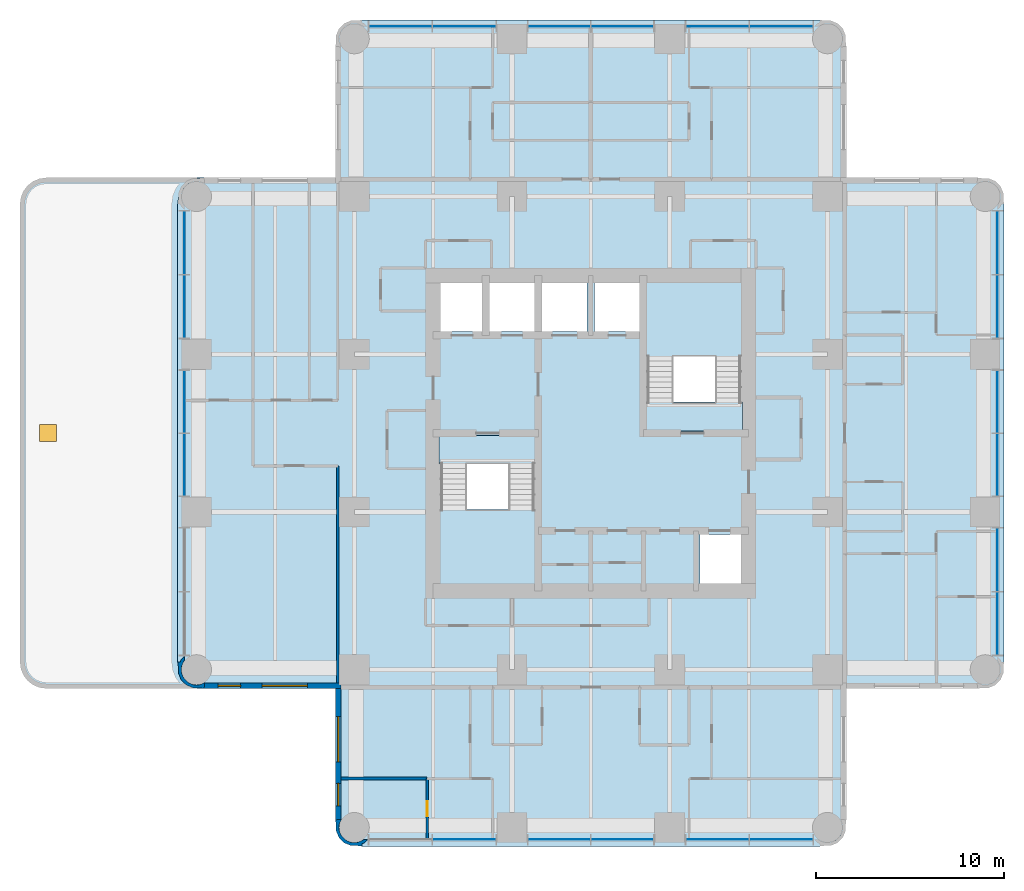
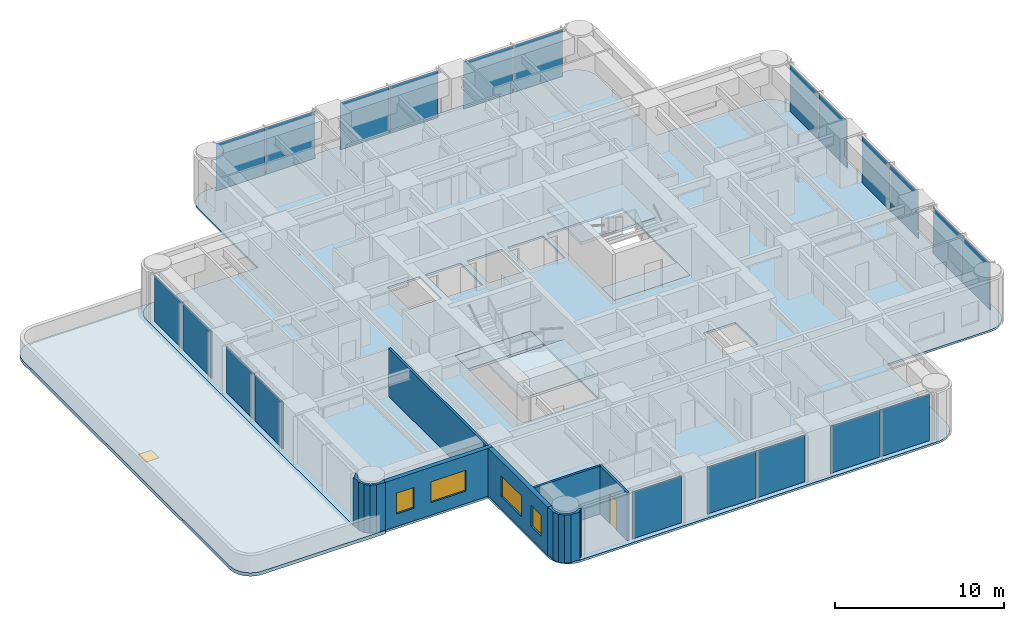
# One storey, part 3 of 9: 21 plates, 7 walls, 6 slabs, 5 windows, 1 door, 6 openings, 6 elements without a shape of their own.
"""IFC4 building model written with IfcOpenShell, lengths in metres."""

from ifc_helpers import new_model, si_unit, direction, frame, frame_2d, origin, origin_2d, place, context, subcontext, project, spatial, polyline, rectangle, outline, extrude, material, layer, layer_set, type_object, element, fill, aggregate, save


model = new_model("IFC4")

# Units and contexts
model_context = context("Model", 3, precision=1e-05, world=origin(), true_north=direction((0.0, 1.0)))
body_context = subcontext(model_context, "Body", "Model", "MODEL_VIEW")
ifc_project = project(units=[si_unit("LENGTHUNIT", "METRE"), si_unit("AREAUNIT", "SQUARE_METRE"), si_unit("VOLUMEUNIT", "CUBIC_METRE"), si_unit("PLANEANGLEUNIT", "RADIAN"), si_unit("MASSUNIT", "GRAM", prefix="KILO")], contexts=[model_context])

# Site, building, storey
site_placement = place(None, origin())
site = spatial("IfcSite", under=ifc_project, at=site_placement, CompositionType="ELEMENT")
building_placement = place(site_placement, origin())
building = spatial("IfcBuilding", under=site, at=building_placement, Name="Torre Alcanfor", CompositionType="ELEMENT")
storey_placement = place(building_placement, frame((0.0, 0.0, 254.10009765625)))
storey = spatial("IfcBuildingStorey", under=building, at=storey_placement, Name="L66", CompositionType="ELEMENT", Elevation=254.10009765625)

# Curtain wall, plates
ifc_material_1 = material(Name="Aluminium and glass", Category="aluminium")
curtain_wall_type = type_object("IfcCurtainWallType", Name="CW-A unitised apartment glazing with vertical FIN", PredefinedType="NOTDEFINED", material=ifc_material_1)
curtain_wall_1_placement = place(storey_placement, origin())
curtain_wall_1 = element("IfcCurtainWall", 1, at=curtain_wall_1_placement, inside=storey, type_object=curtain_wall_type, Name="Curtain wall CW-A L66 2", PredefinedType="NOTDEFINED")
ifc_material_2 = material(Name="Glass", Category="glass")
ifc_layer_1 = layer(ifc_material_2, 0.028076171875)
ifc_layer_set_1 = layer_set([ifc_layer_1], Name="CW-A clear double glazed unit")
plate_type = type_object("IfcPlateType", Name="CW-A clear double glazed unit", PredefinedType="CURTAIN_PANEL", material=ifc_layer_set_1)
plate_1_placement = place(storey_placement, frame((7.75, 39.541259765625, 0.0), z_axis=(0.0, 0.0, 1.0), x_axis=(0.0, -1.0, 0.0)))
plate_1 = element("IfcPlate", 2, at=plate_1_placement, type_object=plate_type, Name="CW-A panel 1.1.1", PredefinedType="CURTAIN_PANEL", context=body_context, shape_type="SweptSolid", body=[
    extrude(rectangle(XDim=3.337646484375, YDim=0.028076171875, at=origin_2d()), origin(), (0.0, 0.0, 1.0), 3.385009765625),
])
plate_2_placement = place(storey_placement, frame((7.75, 36.138671875, 0.0), z_axis=(0.0, 0.0, 1.0), x_axis=(0.0, -1.0, 0.0)))
plate_2 = element("IfcPlate", 3, at=plate_2_placement, type_object=plate_type, Name="CW-A panel 1.2.1", PredefinedType="CURTAIN_PANEL", context=body_context, shape_type="SweptSolid", body=[
    extrude(rectangle(XDim=3.337646484375, YDim=0.028076171875, at=origin_2d()), origin(), (0.0, 0.0, 1.0), 3.385009765625),
])
plate_3_placement = place(storey_placement, frame((7.75, 31.081298828125, 0.0), z_axis=(0.0, 0.0, 1.0), x_axis=(0.0, -1.0, 0.0)))
plate_3 = element("IfcPlate", 4, at=plate_3_placement, type_object=plate_type, Name="CW-A panel 2.1.1", PredefinedType="CURTAIN_PANEL", context=body_context, shape_type="SweptSolid", body=[
    extrude(rectangle(XDim=3.297607421875, YDim=0.028076171875, at=origin_2d()), origin(), (0.0, 0.0, 1.0), 3.385009765625),
])
plate_4_placement = place(storey_placement, frame((7.75, 27.71875, 0.0), z_axis=(0.0, 0.0, 1.0), x_axis=(0.0, -1.0, 0.0)))
plate_4 = element("IfcPlate", 5, at=plate_4_placement, type_object=plate_type, Name="CW-A panel 2.2.1", PredefinedType="CURTAIN_PANEL", context=body_context, shape_type="SweptSolid", body=[
    extrude(rectangle(XDim=3.297607421875, YDim=0.028076171875, at=origin_2d()), origin(), (0.0, 0.0, 1.0), 3.385009765625),
])
aggregate(curtain_wall_1, [plate_1, plate_2, plate_3, plate_4])

curtain_wall_2_placement = place(storey_placement, origin())
curtain_wall_2 = element("IfcCurtainWall", 6, at=curtain_wall_2_placement, inside=storey, type_object=curtain_wall_type, Name="Curtain wall CW-A L66 5", PredefinedType="NOTDEFINED")
plate_5_placement = place(storey_placement, frame((22.6611328125, 7.75, 0.0), z_axis=(0.0, 0.0, 1.0), x_axis=(1.0, 0.0, 0.0)))
plate_5 = element("IfcPlate", 7, at=plate_5_placement, type_object=plate_type, Name="CW-A panel 1.2.1", PredefinedType="CURTAIN_PANEL", context=body_context, shape_type="SweptSolid", body=[
    extrude(rectangle(XDim=3.337646484375, YDim=0.028076171875, at=origin_2d()), origin(), (0.0, 0.0, 1.0), 3.385009765625),
])
plate_6_placement = place(storey_placement, frame((27.71875, 7.75, 0.0), z_axis=(0.0, 0.0, 1.0), x_axis=(1.0, 0.0, 0.0)))
plate_6 = element("IfcPlate", 8, at=plate_6_placement, type_object=plate_type, Name="CW-A panel 2.1.1", PredefinedType="CURTAIN_PANEL", context=body_context, shape_type="SweptSolid", body=[
    extrude(rectangle(XDim=3.297607421875, YDim=0.028076171875, at=origin_2d()), origin(), (0.0, 0.0, 1.0), 3.385009765625),
])
plate_7_placement = place(storey_placement, frame((31.081298828125, 7.75, 0.0), z_axis=(0.0, 0.0, 1.0), x_axis=(1.0, 0.0, 0.0)))
plate_7 = element("IfcPlate", 9, at=plate_7_placement, type_object=plate_type, Name="CW-A panel 2.2.1", PredefinedType="CURTAIN_PANEL", context=body_context, shape_type="SweptSolid", body=[
    extrude(rectangle(XDim=3.297607421875, YDim=0.028076171875, at=origin_2d()), origin(), (0.0, 0.0, 1.0), 3.385009765625),
])
plate_8_placement = place(storey_placement, frame((36.138671875, 7.75, 0.0), z_axis=(0.0, 0.0, 1.0), x_axis=(1.0, 0.0, 0.0)))
plate_8 = element("IfcPlate", 10, at=plate_8_placement, type_object=plate_type, Name="CW-A panel 3.1.1", PredefinedType="CURTAIN_PANEL", context=body_context, shape_type="SweptSolid", body=[
    extrude(rectangle(XDim=3.337646484375, YDim=0.028076171875, at=origin_2d()), origin(), (0.0, 0.0, 1.0), 3.385009765625),
])
plate_9_placement = place(storey_placement, frame((39.541259765625, 7.75, 0.0), z_axis=(0.0, 0.0, 1.0), x_axis=(1.0, 0.0, 0.0)))
plate_9 = element("IfcPlate", 11, at=plate_9_placement, type_object=plate_type, Name="CW-A panel 3.2.1", PredefinedType="CURTAIN_PANEL", context=body_context, shape_type="SweptSolid", body=[
    extrude(rectangle(XDim=3.337646484375, YDim=0.028076171875, at=origin_2d()), origin(), (0.0, 0.0, 1.0), 3.385009765625),
])
aggregate(curtain_wall_2, [plate_5, plate_6, plate_7, plate_8, plate_9])

curtain_wall_3_placement = place(storey_placement, origin())
curtain_wall_3 = element("IfcCurtainWall", 12, at=curtain_wall_3_placement, inside=storey, type_object=curtain_wall_type, Name="Curtain wall CW-A L66 8", PredefinedType="NOTDEFINED")
plate_10_placement = place(storey_placement, frame((51.050048828125, 19.2587890625, 0.0), z_axis=(0.0, 0.0, 1.0), x_axis=(0.0, 1.0, 0.0)))
plate_10 = element("IfcPlate", 13, at=plate_10_placement, type_object=plate_type, Name="CW-A panel 1.1.1", PredefinedType="CURTAIN_PANEL", context=body_context, shape_type="SweptSolid", body=[
    extrude(rectangle(XDim=3.337646484375, YDim=0.028076171875, at=origin_2d()), origin(), (0.0, 0.0, 1.0), 3.385009765625),
])
plate_11_placement = place(storey_placement, frame((51.050048828125, 22.6611328125, 0.0), z_axis=(0.0, 0.0, 1.0), x_axis=(0.0, 1.0, 0.0)))
plate_11 = element("IfcPlate", 14, at=plate_11_placement, type_object=plate_type, Name="CW-A panel 1.2.1", PredefinedType="CURTAIN_PANEL", context=body_context, shape_type="SweptSolid", body=[
    extrude(rectangle(XDim=3.337646484375, YDim=0.028076171875, at=origin_2d()), origin(), (0.0, 0.0, 1.0), 3.385009765625),
])
plate_12_placement = place(storey_placement, frame((51.050048828125, 27.71875, 0.0), z_axis=(0.0, 0.0, 1.0), x_axis=(0.0, 1.0, 0.0)))
plate_12 = element("IfcPlate", 15, at=plate_12_placement, type_object=plate_type, Name="CW-A panel 2.1.1", PredefinedType="CURTAIN_PANEL", context=body_context, shape_type="SweptSolid", body=[
    extrude(rectangle(XDim=3.297607421875, YDim=0.028076171875, at=origin_2d()), origin(), (0.0, 0.0, 1.0), 3.385009765625),
])
plate_13_placement = place(storey_placement, frame((51.050048828125, 31.081298828125, 0.0), z_axis=(0.0, 0.0, 1.0), x_axis=(0.0, 1.0, 0.0)))
plate_13 = element("IfcPlate", 16, at=plate_13_placement, type_object=plate_type, Name="CW-A panel 2.2.1", PredefinedType="CURTAIN_PANEL", context=body_context, shape_type="SweptSolid", body=[
    extrude(rectangle(XDim=3.297607421875, YDim=0.028076171875, at=origin_2d()), origin(), (0.0, 0.0, 1.0), 3.385009765625),
])
plate_14_placement = place(storey_placement, frame((51.050048828125, 36.138671875, 0.0), z_axis=(0.0, 0.0, 1.0), x_axis=(0.0, 1.0, 0.0)))
plate_14 = element("IfcPlate", 17, at=plate_14_placement, type_object=plate_type, Name="CW-A panel 3.1.1", PredefinedType="CURTAIN_PANEL", context=body_context, shape_type="SweptSolid", body=[
    extrude(rectangle(XDim=3.337646484375, YDim=0.028076171875, at=origin_2d()), origin(), (0.0, 0.0, 1.0), 3.385009765625),
])
plate_15_placement = place(storey_placement, frame((51.050048828125, 39.541259765625, 0.0), z_axis=(0.0, 0.0, 1.0), x_axis=(0.0, 1.0, 0.0)))
plate_15 = element("IfcPlate", 18, at=plate_15_placement, type_object=plate_type, Name="CW-A panel 3.2.1", PredefinedType="CURTAIN_PANEL", context=body_context, shape_type="SweptSolid", body=[
    extrude(rectangle(XDim=3.337646484375, YDim=0.028076171875, at=origin_2d()), origin(), (0.0, 0.0, 1.0), 3.385009765625),
])
aggregate(curtain_wall_3, [plate_10, plate_11, plate_12, plate_13, plate_14, plate_15])

curtain_wall_4_placement = place(storey_placement, origin())
curtain_wall_4 = element("IfcCurtainWall", 19, at=curtain_wall_4_placement, inside=storey, type_object=curtain_wall_type, Name="Curtain wall CW-A L66 11", PredefinedType="NOTDEFINED")
plate_16_placement = place(storey_placement, frame((39.541259765625, 51.050048828125, 0.0), z_axis=(0.0, 0.0, 1.0), x_axis=(-1.0, 0.0, 0.0)))
plate_16 = element("IfcPlate", 20, at=plate_16_placement, type_object=plate_type, Name="CW-A panel 1.1.1", PredefinedType="CURTAIN_PANEL", context=body_context, shape_type="SweptSolid", body=[
    extrude(rectangle(XDim=3.337646484375, YDim=0.028076171875, at=origin_2d()), origin(), (0.0, 0.0, 1.0), 3.385009765625),
])
plate_17_placement = place(storey_placement, frame((36.138671875, 51.050048828125, 0.0), z_axis=(0.0, 0.0, 1.0), x_axis=(-1.0, 0.0, 0.0)))
plate_17 = element("IfcPlate", 21, at=plate_17_placement, type_object=plate_type, Name="CW-A panel 1.2.1", PredefinedType="CURTAIN_PANEL", context=body_context, shape_type="SweptSolid", body=[
    extrude(rectangle(XDim=3.337646484375, YDim=0.028076171875, at=origin_2d()), origin(), (0.0, 0.0, 1.0), 3.385009765625),
])
plate_18_placement = place(storey_placement, frame((31.081298828125, 51.050048828125, 0.0), z_axis=(0.0, 0.0, 1.0), x_axis=(-1.0, 0.0, 0.0)))
plate_18 = element("IfcPlate", 22, at=plate_18_placement, type_object=plate_type, Name="CW-A panel 2.1.1", PredefinedType="CURTAIN_PANEL", context=body_context, shape_type="SweptSolid", body=[
    extrude(rectangle(XDim=3.297607421875, YDim=0.028076171875, at=origin_2d()), origin(), (0.0, 0.0, 1.0), 3.385009765625),
])
plate_19_placement = place(storey_placement, frame((27.71875, 51.050048828125, 0.0), z_axis=(0.0, 0.0, 1.0), x_axis=(-1.0, 0.0, 0.0)))
plate_19 = element("IfcPlate", 23, at=plate_19_placement, type_object=plate_type, Name="CW-A panel 2.2.1", PredefinedType="CURTAIN_PANEL", context=body_context, shape_type="SweptSolid", body=[
    extrude(rectangle(XDim=3.297607421875, YDim=0.028076171875, at=origin_2d()), origin(), (0.0, 0.0, 1.0), 3.385009765625),
])
plate_20_placement = place(storey_placement, frame((22.6611328125, 51.050048828125, 0.0), z_axis=(0.0, 0.0, 1.0), x_axis=(-1.0, 0.0, 0.0)))
plate_20 = element("IfcPlate", 24, at=plate_20_placement, type_object=plate_type, Name="CW-A panel 3.1.1", PredefinedType="CURTAIN_PANEL", context=body_context, shape_type="SweptSolid", body=[
    extrude(rectangle(XDim=3.337646484375, YDim=0.028076171875, at=origin_2d()), origin(), (0.0, 0.0, 1.0), 3.385009765625),
])
plate_21_placement = place(storey_placement, frame((19.2587890625, 51.050048828125, 0.0), z_axis=(0.0, 0.0, 1.0), x_axis=(-1.0, 0.0, 0.0)))
plate_21 = element("IfcPlate", 25, at=plate_21_placement, type_object=plate_type, Name="CW-A panel 3.2.1", PredefinedType="CURTAIN_PANEL", context=body_context, shape_type="SweptSolid", body=[
    extrude(rectangle(XDim=3.337646484375, YDim=0.028076171875, at=origin_2d()), origin(), (0.0, 0.0, 1.0), 3.385009765625),
])
aggregate(curtain_wall_4, [plate_16, plate_17, plate_18, plate_19, plate_20, plate_21])

# Slab
ifc_material_3 = material(Name="Concrete f'c 35 MPa", Category="concrete")
ifc_layer_2 = layer(ifc_material_3, 0.14990234375)
ifc_layer_set_2 = layer_set([ifc_layer_2], Name="Composite floor 150 on metal deck")
slab_type_1 = type_object("IfcSlabType", Name="Composite floor 150 on metal deck", PredefinedType="FLOOR", material=ifc_layer_set_2)
slab_1_placement = place(storey_placement, frame((0.0, 0.0, -0.150146484375)))
element("IfcSlab", 26, at=slab_1_placement, inside=storey, type_object=slab_type_1, Name="Floor slab L66", PredefinedType="FLOOR", context=body_context, shape_type="SweptSolid", body=[
    extrude(outline(polyline([(15.800048828125, 43.0), (8.800048828125, 43.0), (8.437744140625, 42.952392578125), (8.10009765625, 42.8125), (7.81005859375, 42.58984375), (7.587646484375, 42.300048828125), (7.44775390625, 41.96240234375), (7.39990234375, 41.60009765625), (7.39990234375, 17.199951171875), (7.44775390625, 16.837646484375), (7.587646484375, 16.5), (7.81005859375, 16.210205078125), (8.10009765625, 15.987548828125), (8.437744140625, 15.84765625), (8.800048828125, 15.800048828125), (15.800048828125, 15.800048828125), (15.800048828125, 8.800048828125), (15.84765625, 8.437744140625), (15.987548828125, 8.10009765625), (16.210205078125, 7.81005859375), (16.5, 7.587646484375), (16.837646484375, 7.44775390625), (17.199951171875, 7.39990234375), (41.60009765625, 7.39990234375), (41.96240234375, 7.44775390625), (42.300048828125, 7.587646484375), (42.58984375, 7.81005859375), (42.8125, 8.10009765625), (42.952392578125, 8.437744140625), (43.0, 8.800048828125), (43.0, 15.800048828125), (50.0, 15.800048828125), (50.3623046875, 15.84765625), (50.699951171875, 15.987548828125), (50.989990234375, 16.210205078125), (51.21240234375, 16.5), (51.352294921875, 16.837646484375), (51.39990234375, 17.199951171875), (51.39990234375, 41.60009765625), (51.352294921875, 41.96240234375), (51.21240234375, 42.300048828125), (50.989990234375, 42.58984375), (50.699951171875, 42.8125), (50.3623046875, 42.952392578125), (50.0, 43.0), (43.0, 43.0), (43.0, 50.0), (42.952392578125, 50.3623046875), (42.8125, 50.699951171875), (42.58984375, 50.989990234375), (42.300048828125, 51.21240234375), (41.96240234375, 51.352294921875), (41.60009765625, 51.39990234375), (17.199951171875, 51.39990234375), (16.837646484375, 51.352294921875), (16.5, 51.21240234375), (16.210205078125, 50.989990234375), (15.987548828125, 50.699951171875), (15.84765625, 50.3623046875), (15.800048828125, 50.0), (15.800048828125, 43.0)]), holes=[polyline([(21.320068359375, 21.320068359375), (26.47998046875, 21.320068359375), (26.47998046875, 29.280029296875), (21.320068359375, 29.280029296875), (21.320068359375, 21.320068359375)]), polyline([(32.320068359375, 29.52001953125), (37.47998046875, 29.52001953125), (37.47998046875, 37.47998046875), (32.320068359375, 37.47998046875), (32.320068359375, 29.52001953125)]), polyline([(35.199951171875, 21.39990234375), (37.39990234375, 21.39990234375), (37.39990234375, 24.0), (35.199951171875, 24.0), (35.199951171875, 21.39990234375)]), polyline([(21.39990234375, 34.800048828125), (23.60009765625, 34.800048828125), (23.60009765625, 37.39990234375), (21.39990234375, 37.39990234375), (21.39990234375, 34.800048828125)]), polyline([(24.0, 34.800048828125), (26.39990234375, 34.800048828125), (26.39990234375, 37.39990234375), (24.0, 37.39990234375), (24.0, 34.800048828125)]), polyline([(26.800048828125, 34.800048828125), (29.199951171875, 34.800048828125), (29.199951171875, 37.39990234375), (26.800048828125, 37.39990234375), (26.800048828125, 34.800048828125)]), polyline([(29.60009765625, 34.800048828125), (32.0, 34.800048828125), (32.0, 37.39990234375), (29.60009765625, 37.39990234375), (29.60009765625, 34.800048828125)])]), origin(), (0.0, 0.0, 1.0), 0.150146484375),
])

# Slab, opening, window
ifc_material_4 = material(Name="Concrete f'c 35 MPa", Category="concrete")
ifc_layer_3 = layer(ifc_material_4, 0.25)
ifc_layer_set_3 = layer_set([ifc_layer_3], Name="Roof slab 250")
slab_type_2 = type_object("IfcSlabType", Name="Roof slab 250", PredefinedType="ROOF", material=ifc_layer_set_3)
slab_2_placement = place(storey_placement, frame((0.0, 0.0, -0.25)))
slab_2 = element("IfcSlab", 27, at=slab_2_placement, inside=storey, type_object=slab_type_2, Name="Maintenance roof L66 1", PredefinedType="ROOF", context=body_context, shape_type="SweptSolid", body=[
    extrude(outline(polyline([(8.800048828125, 15.800048828125), (8.437744140625, 15.84765625), (8.10009765625, 15.987548828125), (7.81005859375, 16.210205078125), (7.587646484375, 16.5), (7.44775390625, 16.837646484375), (7.39990234375, 17.199951171875), (7.39990234375, 41.60009765625), (7.44775390625, 41.96240234375), (7.587646484375, 42.300048828125), (7.81005859375, 42.58984375), (8.10009765625, 42.8125), (8.437744140625, 42.952392578125), (8.800048828125, 43.0), (0.39990234375, 43.0), (0.03759765625, 42.952392578125), (-0.300048828125, 42.8125), (-0.58984375, 42.58984375), (-0.8125, 42.300048828125), (-0.952392578125, 41.96240234375), (-1.0, 41.60009765625), (-1.0, 17.199951171875), (-0.952392578125, 16.837646484375), (-0.8125, 16.5), (-0.58984375, 16.210205078125), (-0.300048828125, 15.987548828125), (0.03759765625, 15.84765625), (0.39990234375, 15.800048828125), (8.800048828125, 15.800048828125)])), origin(), (0.0, 0.0, 1.0), 0.25),
])
opening_1_placement = place(slab_2_placement, frame((0.5, 29.39990234375, 0.0)))
opening_1 = element("IfcOpeningElement", 28, at=opening_1_placement, cuts=slab_2, Name="Opening RH1", PredefinedType="OPENING", context=body_context, shape_type="SweptSolid", body=[
    extrude(rectangle(XDim=0.89990234375, YDim=0.89990234375, at=origin_2d()), origin(), (0.0, 0.0, 1.0), 0.25),
])
ifc_material_5 = material(Name="Aluminium", Category="aluminium")
window_type_1 = type_object("IfcWindowType", Name="Roof access hatch 900x900", PartitioningType="SINGLE_PANEL", PredefinedType="SKYLIGHT", material=ifc_material_5)
window_1_placement = place(opening_1_placement, frame((0.0, 0.0, 0.199951171875)))
window_1 = element("IfcWindow", 29, at=window_1_placement, inside=storey, type_object=window_type_1, Name="Maintenance roof access hatch L66 1", OverallHeight=0.89990234375, OverallWidth=0.89990234375, PartitioningType="SINGLE_PANEL", PredefinedType="SKYLIGHT", context=body_context, shape_type="SweptSolid", body=[
    extrude(rectangle(XDim=0.89990234375, YDim=0.89990234375, at=origin_2d()), origin(), (0.0, 0.0, 1.0), 0.050048828125),
])
fill(opening_1, window_1)

# Stair, slabs
ifc_material_6 = material(Name="Concrete f'c 35 MPa", Category="concrete")
stair_type_1 = type_object("IfcStairType", Name="Exit stair S1 1400 wide", PredefinedType="HALF_TURN_STAIR", material=ifc_material_6)
stair_1_placement = place(storey_placement, origin())
stair_1 = element("IfcStair", 30, at=stair_1_placement, inside=storey, type_object=stair_type_1, Name="Stair S1 L66 to L67", PredefinedType="HALF_TURN_STAIR")
ifc_material_7 = material(Name="Concrete f'c 35 MPa", Category="concrete")
ifc_layer_4 = layer(ifc_material_7, 0.199951171875)
ifc_layer_set_4 = layer_set([ifc_layer_4], Name="Stair landing 200")
slab_type_3 = type_object("IfcSlabType", Name="Stair landing 200", PredefinedType="LANDING", material=ifc_layer_set_4)
slab_3_placement = place(storey_placement, frame((0.0, 0.0, -0.2001953125)))
slab_3 = element("IfcSlab", 31, at=slab_3_placement, type_object=slab_type_3, Name="S1 landing 1", PredefinedType="LANDING", context=body_context, shape_type="SweptSolid", body=[
    extrude(outline(polyline([(21.320068359375, 27.75), (26.47998046875, 27.75), (26.47998046875, 29.280029296875), (21.320068359375, 29.280029296875), (21.320068359375, 27.75)])), origin(), (0.0, 0.0, 1.0), 0.2001953125),
])
slab_4_placement = place(storey_placement, frame((0.0, 0.0, 1.599853515625)))
slab_4 = element("IfcSlab", 32, at=slab_4_placement, type_object=slab_type_3, Name="S1 landing 2", PredefinedType="LANDING", context=body_context, shape_type="SweptSolid", body=[
    extrude(outline(polyline([(21.320068359375, 21.320068359375), (26.47998046875, 21.320068359375), (26.47998046875, 25.330078125), (21.320068359375, 25.330078125), (21.320068359375, 21.320068359375)])), origin(), (0.0, 0.0, 1.0), 0.199951171875),
])
aggregate(stair_1, [slab_3, slab_4])

ifc_material_8 = material(Name="Concrete f'c 35 MPa", Category="concrete")
stair_type_2 = type_object("IfcStairType", Name="Exit stair S2 1400 wide", PredefinedType="HALF_TURN_STAIR", material=ifc_material_8)
stair_2_placement = place(storey_placement, origin())
stair_2 = element("IfcStair", 33, at=stair_2_placement, inside=storey, type_object=stair_type_2, Name="Stair S2 L66 to L67", PredefinedType="HALF_TURN_STAIR")
slab_5_placement = place(storey_placement, frame((0.0, 0.0, -0.2001953125)))
slab_5 = element("IfcSlab", 34, at=slab_5_placement, type_object=slab_type_3, Name="S2 landing 1", PredefinedType="LANDING", context=body_context, shape_type="SweptSolid", body=[
    extrude(outline(polyline([(32.320068359375, 29.52001953125), (37.47998046875, 29.52001953125), (37.47998046875, 31.050048828125), (32.320068359375, 31.050048828125), (32.320068359375, 29.52001953125)])), origin(), (0.0, 0.0, 1.0), 0.2001953125),
])
slab_6_placement = place(storey_placement, frame((0.0, 0.0, 1.599853515625)))
slab_6 = element("IfcSlab", 35, at=slab_6_placement, type_object=slab_type_3, Name="S2 landing 2", PredefinedType="LANDING", context=body_context, shape_type="SweptSolid", body=[
    extrude(outline(polyline([(32.320068359375, 33.469970703125), (37.47998046875, 33.469970703125), (37.47998046875, 37.47998046875), (32.320068359375, 37.47998046875), (32.320068359375, 33.469970703125)])), origin(), (0.0, 0.0, 1.0), 0.199951171875),
])
aggregate(stair_2, [slab_5, slab_6])

# Wall, openings, windows
ifc_material_9 = material(Name="Limestone cladding", Category="masonry")
ifc_layer_5 = layer(ifc_material_9, 0.0400390625, Name="Facing")
ifc_material_10 = material(Name="Ventilated air cavity")
ifc_layer_6 = layer(ifc_material_10, 0.02001953125, ventilated=True, Name="Ventilated joint")
ifc_material_11 = material(Name="Mineral wool insulation", Category="insulation")
ifc_layer_7 = layer(ifc_material_11, 0.10009765625, Name="Insulation")
ifc_material_12 = material(Name="Concrete f'c 35 MPa", Category="concrete")
ifc_layer_8 = layer(ifc_material_12, 0.139892578125, Name="Backing")
ifc_layer_set_5 = layer_set([ifc_layer_5, ifc_layer_6, ifc_layer_7, ifc_layer_8], Name="External wall stone-clad 300")
wall_type_1 = type_object("IfcWallType", Name="External wall stone-clad 300", PredefinedType="SOLIDWALL", material=ifc_layer_set_5)
wall_1_placement = place(storey_placement, frame((8.800048828125, 15.949951171875, 0.0), z_axis=(0.0, 0.0, 1.0), x_axis=(1.0, 0.0, 0.0)))
wall_1 = element("IfcWall", 36, at=wall_1_placement, inside=storey, type_object=wall_type_1, Name="External wall L66 3", PredefinedType="SOLIDWALL", context=body_context, shape_type="SweptSolid", body=[
    extrude(rectangle(XDim=7.300048828125, YDim=0.300048828125, at=frame_2d((3.64990234375, 0.0))), origin(), (0.0, 0.0, 1.0), 3.449951171875),
])
opening_2_placement = place(wall_1_placement, frame((3.10009765625, 0.0, 0.89990234375)))
opening_2 = element("IfcOpeningElement", 37, at=opening_2_placement, cuts=wall_1, Name="Opening W1", PredefinedType="OPENING", context=body_context, shape_type="SweptSolid", body=[
    extrude(rectangle(XDim=2.39990234375, YDim=1.5, at=frame_2d((1.199951171875, 0.75))), frame((0.0, 0.159912109375, 0.0), z_axis=(0.0, -1.0, 0.0), x_axis=(1.0, 0.0, 0.0)), (0.0, 0.0, 1.0), 0.320068359375),
])
opening_3_placement = place(wall_1_placement, frame((0.75, 0.0, 0.89990234375)))
opening_3 = element("IfcOpeningElement", 38, at=opening_3_placement, cuts=wall_1, Name="Opening W4", PredefinedType="OPENING", context=body_context, shape_type="SweptSolid", body=[
    extrude(rectangle(XDim=1.199951171875, YDim=1.5, at=frame_2d((0.60009765625, 0.75))), frame((0.0, 0.159912109375, 0.0), z_axis=(0.0, -1.0, 0.0), x_axis=(1.0, 0.0, 0.0)), (0.0, 0.0, 1.0), 0.320068359375),
])
ifc_material_13 = material(Name="Aluminium frame with clear double glazing", Category="aluminium")
window_type_2 = type_object("IfcWindowType", Name="Window bedroom 1200x1500", PartitioningType="SINGLE_PANEL", PredefinedType="WINDOW", material=ifc_material_13)
window_2_placement = place(opening_3_placement, origin())
window_2 = element("IfcWindow", 39, at=window_2_placement, inside=storey, type_object=window_type_2, Name="Window W4 L66-W1", OverallHeight=1.5, OverallWidth=1.199951171875, PartitioningType="SINGLE_PANEL", PredefinedType="WINDOW", context=body_context, shape_type="SweptSolid", body=[
    extrude(rectangle(XDim=1.199951171875, YDim=1.5, at=frame_2d((0.60009765625, 0.75))), frame((0.0, 0.030029296875, 0.0), z_axis=(0.0, -1.0, 0.0), x_axis=(1.0, 0.0, 0.0)), (0.0, 0.0, 1.0), 0.06005859375),
])
fill(opening_3, window_2)
ifc_material_14 = material(Name="Aluminium frame with clear double glazing", Category="aluminium")
window_type_3 = type_object("IfcWindowType", Name="Window bedroom 2400x1500", PartitioningType="SINGLE_PANEL", PredefinedType="WINDOW", material=ifc_material_14)
window_3_placement = place(opening_2_placement, origin())
window_3 = element("IfcWindow", 40, at=window_3_placement, inside=storey, type_object=window_type_3, Name="Window W1 L66-W1", OverallHeight=1.5, OverallWidth=2.39990234375, PartitioningType="SINGLE_PANEL", PredefinedType="WINDOW", context=body_context, shape_type="SweptSolid", body=[
    extrude(rectangle(XDim=2.39990234375, YDim=1.5, at=frame_2d((1.199951171875, 0.75))), frame((0.0, 0.030029296875, 0.0), z_axis=(0.0, -1.0, 0.0), x_axis=(1.0, 0.0, 0.0)), (0.0, 0.0, 1.0), 0.06005859375),
])
fill(opening_2, window_3)

wall_2_placement = place(storey_placement, frame((15.949951171875, 15.800048828125, 0.0), z_axis=(0.0, 0.0, 1.0), x_axis=(0.0, -1.0, 0.0)))
wall_2 = element("IfcWall", 41, at=wall_2_placement, inside=storey, type_object=wall_type_1, Name="External wall L66 4", PredefinedType="SOLIDWALL", context=body_context, shape_type="SweptSolid", body=[
    extrude(rectangle(XDim=7.0, YDim=0.300048828125, at=frame_2d((3.5, 0.0))), origin(), (0.0, 0.0, 1.0), 3.449951171875),
])
opening_4_placement = place(wall_2_placement, frame((1.5, 0.0, 0.89990234375)))
opening_4 = element("IfcOpeningElement", 42, at=opening_4_placement, cuts=wall_2, Name="Opening W1", PredefinedType="OPENING", context=body_context, shape_type="SweptSolid", body=[
    extrude(rectangle(XDim=2.39990234375, YDim=1.5, at=frame_2d((1.199951171875, 0.75))), frame((0.0, 0.159912109375, 0.0), z_axis=(0.0, -1.0, 0.0), x_axis=(1.0, 0.0, 0.0)), (0.0, 0.0, 1.0), 0.320068359375),
])
opening_5_placement = place(wall_2_placement, frame((5.050048828125, 0.0, 0.89990234375)))
opening_5 = element("IfcOpeningElement", 43, at=opening_5_placement, cuts=wall_2, Name="Opening W4", PredefinedType="OPENING", context=body_context, shape_type="SweptSolid", body=[
    extrude(rectangle(XDim=1.199951171875, YDim=1.5, at=frame_2d((0.60009765625, 0.75))), frame((0.0, 0.159912109375, 0.0), z_axis=(0.0, -1.0, 0.0), x_axis=(1.0, 0.0, 0.0)), (0.0, 0.0, 1.0), 0.320068359375),
])
window_4_placement = place(opening_5_placement, origin())
window_4 = element("IfcWindow", 44, at=window_4_placement, inside=storey, type_object=window_type_2, Name="Window W4 L66-S2", OverallHeight=1.5, OverallWidth=1.199951171875, PartitioningType="SINGLE_PANEL", PredefinedType="WINDOW", context=body_context, shape_type="SweptSolid", body=[
    extrude(rectangle(XDim=1.199951171875, YDim=1.5, at=frame_2d((0.60009765625, 0.75))), frame((0.0, 0.030029296875, 0.0), z_axis=(0.0, -1.0, 0.0), x_axis=(1.0, 0.0, 0.0)), (0.0, 0.0, 1.0), 0.06005859375),
])
fill(opening_5, window_4)
window_5_placement = place(opening_4_placement, origin())
window_5 = element("IfcWindow", 45, at=window_5_placement, inside=storey, type_object=window_type_3, Name="Window W1 L66-S2", OverallHeight=1.5, OverallWidth=2.39990234375, PartitioningType="SINGLE_PANEL", PredefinedType="WINDOW", context=body_context, shape_type="SweptSolid", body=[
    extrude(rectangle(XDim=2.39990234375, YDim=1.5, at=frame_2d((1.199951171875, 0.75))), frame((0.0, 0.030029296875, 0.0), z_axis=(0.0, -1.0, 0.0), x_axis=(1.0, 0.0, 0.0)), (0.0, 0.0, 1.0), 0.06005859375),
])
fill(opening_4, window_5)

# Walls
ifc_material_15 = material(Name="Concrete block masonry, hollow blocks NMX-C-404 9 MPa", Category="masonry")
ifc_layer_9 = layer(ifc_material_15, 0.14990234375)
ifc_layer_set_6 = layer_set([ifc_layer_9], Name="Residents' room partition 150")
wall_type_2 = type_object("IfcWallType", Name="Residents' room partition 150", PredefinedType="PARTITIONING", material=ifc_layer_set_6)
wall_3_placement = place(storey_placement, frame((15.925048828125, 16.10009765625, 0.0), z_axis=(0.0, 0.0, 1.0), x_axis=(0.0, 1.0, 0.0)))
element("IfcWall", 46, at=wall_3_placement, inside=storey, type_object=wall_type_2, Name="Partition L66-CORR / L66-W-LOUNGE", PredefinedType="PARTITIONING", context=body_context, shape_type="SweptSolid", body=[
    extrude(rectangle(XDim=11.556884765625, YDim=0.14990234375, at=frame_2d((5.7783203125, 0.0))), origin(), (0.0, 0.0, 1.0), 3.449951171875),
])
ifc_layer_10 = layer(ifc_material_9, 0.0400390625, Name="Facing")
ifc_layer_11 = layer(ifc_material_10, 0.02001953125, ventilated=True, Name="Ventilated joint")
ifc_layer_12 = layer(ifc_material_11, 0.10009765625, Name="Insulation")
ifc_layer_13 = layer(ifc_material_12, 0.139892578125, Name="Backing")
ifc_layer_set_7 = layer_set([ifc_layer_10, ifc_layer_11, ifc_layer_12, ifc_layer_13], Name="Rounded corner pier stone-clad 300")
wall_type_3 = type_object("IfcWallType", Name="Rounded corner pier stone-clad 300", PredefinedType="SOLIDWALL", material=ifc_layer_set_7)
wall_4_placement = place(storey_placement, frame((7.804682488, 17.448071802, 0.0), z_axis=(0.0, 0.0, 1.0), x_axis=(-0.93923434088, -0.343276641956, 0.0)))
element("IfcWall", 47, at=wall_4_placement, inside=storey, type_object=wall_type_3, Name="Corner pier L66 14", PredefinedType="SOLIDWALL", context=body_context, shape_type="SweptSolid", body=[
    extrude(outline(polyline([(-0.3691544560628778, 1.8895657863759494), (-0.509301662163068, 1.6213264824345213), (-0.4904986309247569, 1.6144542449734884), (-0.4793907171329685, 1.6085749116907953), (-0.21136280642588806, 1.6200475352076344), (0.08788055657406396, 1.5106783902485166), (0.3226026197490389, 1.2951828906640932), (0.456896798485966, 1.0061795612800153), (0.4702479473873299, 0.6878173397378377), (0.360878802428212, 0.38857397673788563), (0.1453833028437888, 0.1538519135629107), (0.1081228519264483, 0.13653771283734806), (0.030935892150703026, -0.07465243070514684), (0.2410347372392363, 0.022976381789412317), (0.33343468178012037, 0.12359233707655713), (0.465357428695086, 0.09409184784547728), (0.5320082369687645, 0.39309206496826327), (0.6306499868667583, 0.6629843548157295), (0.6143983700307079, 1.0445313106513174), (0.4534781515225373, 1.390834325059541), (0.17224910106324365, 1.6490611032510325), (-0.09741388352521885, 1.747619045375111), (-0.3691544560628778, 1.8895657863759494)])), origin(), (0.0, 0.0, 1.0), 3.449951171875),
])
wall_5_placement = place(storey_placement, frame((15.982940512, 8.726823795, 0.0), z_axis=(0.0, 0.0, 1.0), x_axis=(-0.343276641956, -0.93923434088, 0.0)))
element("IfcWall", 48, at=wall_5_placement, inside=storey, type_object=wall_type_3, Name="Corner pier L66 15", PredefinedType="SOLIDWALL", context=body_context, shape_type="SweptSolid", body=[
    extrude(outline(polyline([(0.8285188621172053, 1.5985593448955209), (0.6965961152022397, 1.5690588556644411), (0.6041961706613557, 1.669674810951586), (0.3940973255728224, 1.767303623446145), (0.47128428534856764, 1.55611347990365), (0.5085447362659081, 1.5387992791780876), (0.7240402358503313, 1.3040772160031127), (0.8334093808094493, 1.0048338530031606), (0.8200582319080854, 0.6864716314609828), (0.6857640531711582, 0.3974683020769049), (0.4510419899961833, 0.18197280249248177), (0.15179862699623123, 0.07260365753336384), (-0.11622928371084919, 0.08407628105020303), (-0.1273371975026375, 0.0781969477675098), (-0.14614022874094865, 0.07132471030647711), (-0.0059930226407584886, -0.19691459363495123), (0.26574754989690047, -0.054967852634112954), (0.535410534485363, 0.043590089489965705), (0.8166395849446566, 0.30181686768145743), (0.9775598034528271, 0.6481198820896807), (0.9938114202888776, 1.0296668379252687), (0.8951696703908839, 1.299559127772735), (0.8285188621172053, 1.5985593448955209)])), origin(), (0.0, 0.0, 1.0), 3.449951171875),
])
ifc_material_16 = material(Name="Cement board on steel studs", Category="steel")
ifc_layer_14 = layer(ifc_material_16, 0.14990234375)
ifc_layer_set_8 = layer_set([ifc_layer_14], Name="Wet area partition 150")
wall_type_4 = type_object("IfcWallType", Name="Wet area partition 150", PredefinedType="PARTITIONING", material=ifc_layer_set_8)
wall_6_placement = place(storey_placement, frame((16.10009765625, 11.0, 0.0), z_axis=(0.0, 0.0, 1.0), x_axis=(1.0, 0.0, 0.0)))
element("IfcWall", 49, at=wall_6_placement, inside=storey, type_object=wall_type_4, Name="Partition L66-SX-BED3 / L66-SX-BATH1", PredefinedType="PARTITIONING", context=body_context, shape_type="SweptSolid", body=[
    extrude(rectangle(XDim=4.5859375, YDim=0.14990234375, at=frame_2d((2.29296875, 0.0))), origin(), (0.0, 0.0, 1.0), 3.449951171875),
])

# Wall, opening, door
wall_7_placement = place(storey_placement, frame((20.68603515625, 7.75, 0.0), z_axis=(0.0, 0.0, 1.0), x_axis=(0.0, 1.0, 0.0)))
wall_7 = element("IfcWall", 50, at=wall_7_placement, inside=storey, type_object=wall_type_4, Name="Partition L66-SX-BATH1 / L66-SX-BED1", PredefinedType="PARTITIONING", context=body_context, shape_type="SweptSolid", body=[
    extrude(rectangle(XDim=3.25, YDim=0.14990234375, at=frame_2d((1.625, 0.0))), origin(), (0.0, 0.0, 1.0), 3.449951171875),
])
opening_6_placement = place(wall_7_placement, frame((1.25, 0.0, 0.0)))
opening_6 = element("IfcOpeningElement", 51, at=opening_6_placement, cuts=wall_7, Name="Opening D-R2", PredefinedType="OPENING", context=body_context, shape_type="SweptSolid", body=[
    extrude(rectangle(XDim=0.800048828125, YDim=2.10009765625, at=frame_2d((0.39990234375, 1.050048828125))), frame((0.0, 0.0849609375, 0.0), z_axis=(0.0, -1.0, 0.0), x_axis=(1.0, 0.0, 0.0)), (0.0, 0.0, 1.0), 0.169921875),
])
ifc_material_17 = material(Name="Timber", Category="wood")
door_type = type_object("IfcDoorType", Name="Bathroom door 800x2100", OperationType="SINGLE_SWING_LEFT", PredefinedType="DOOR", material=ifc_material_17)
door_placement = place(opening_6_placement, frame((0.800048828125, 0.0, 0.0), z_axis=(0.0, 0.0, 1.0), x_axis=(-1.0, 0.0, 0.0)))
door = element("IfcDoor", 52, at=door_placement, inside=storey, type_object=door_type, Name="Door L66-SX bath1", OperationType="SINGLE_SWING_LEFT", OverallHeight=2.10009765625, OverallWidth=0.800048828125, PredefinedType="DOOR", context=body_context, shape_type="SweptSolid", body=[
    extrude(rectangle(XDim=0.800048828125, YDim=2.10009765625, at=frame_2d((0.400146484375, 1.050048828125))), frame((0.0, 0.025146484375, 0.0), z_axis=(0.0, -1.0, 0.0), x_axis=(1.0, 0.0, 0.0)), (0.0, 0.0, 1.0), 0.050048828125),
])
fill(opening_6, door)

save(model, "model.ifc")
